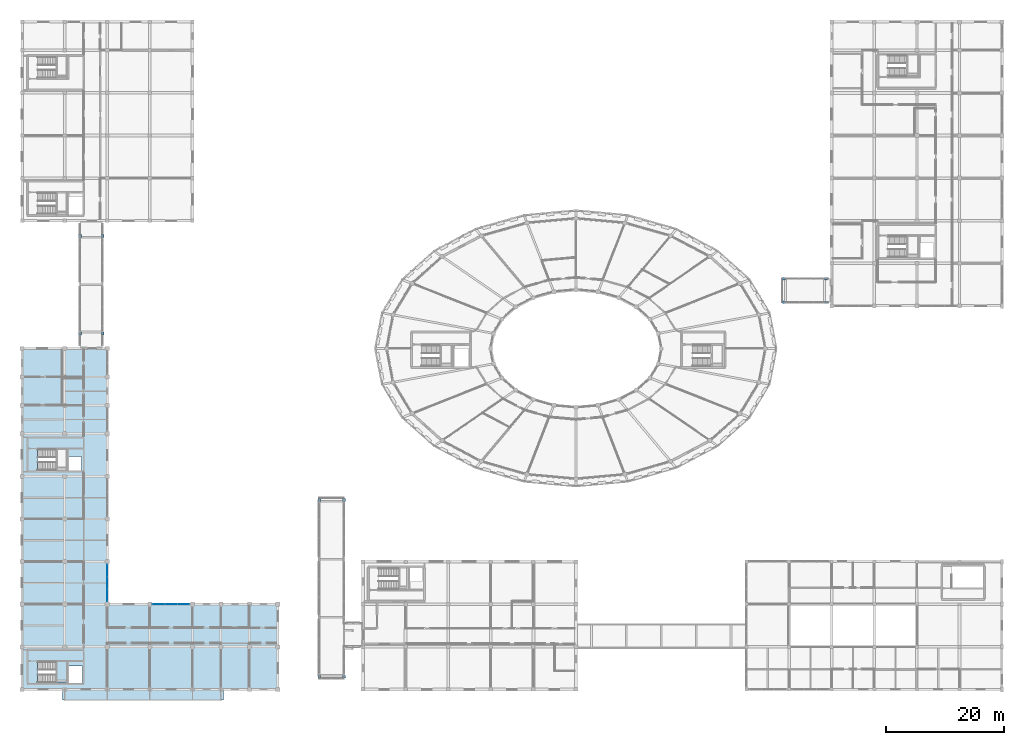
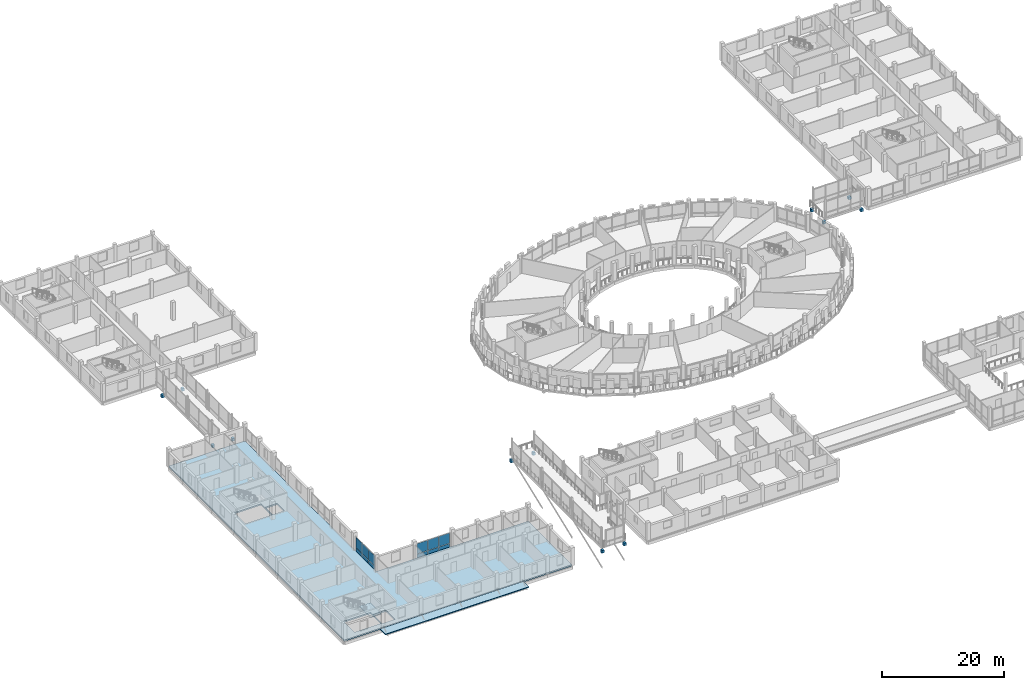
# One storey, part 96 of 128: 12 beams, 12 plates, 3 slabs, 3 elements without a shape of their own.
"""IFC4 building model written with IfcOpenShell, lengths in metres."""

from ifc_helpers import new_model, si_unit, direction, frame, origin, origin_2d, place, context, subcontext, project, spatial, polyline, rectangle, outline, extrude, material, layer, layer_set, material_profile, profile_set, type_object, element, aggregate, save


model = new_model("IFC4")

# Units and contexts
model_context = context("Model", 3, precision=1e-05, world=origin(), true_north=direction((0.0, 1.0)))
body_context = subcontext(model_context, "Body", "Model", "MODEL_VIEW")
ifc_project = project(units=[si_unit("LENGTHUNIT", "METRE"), si_unit("AREAUNIT", "SQUARE_METRE"), si_unit("VOLUMEUNIT", "CUBIC_METRE"), si_unit("PLANEANGLEUNIT", "RADIAN"), si_unit("MASSUNIT", "GRAM", prefix="KILO")], contexts=[model_context])

# Site, building, storey
site_placement = place(None, origin())
site = spatial("IfcSite", under=ifc_project, at=site_placement, CompositionType="ELEMENT")
building_placement = place(site_placement, origin())
building = spatial("IfcBuilding", under=site, at=building_placement, Name="Zornivar Specialist Clinic", CompositionType="ELEMENT")
storey_placement = place(building_placement, frame((0.0, 0.0, 4.5)))
storey = spatial("IfcBuildingStorey", under=building, at=storey_placement, Name="L01", CompositionType="ELEMENT", Elevation=4.5)

# Beams
ifc_material_1 = material(Name="Concrete C35/45", Category="concrete")
ifc_material_profile = material_profile(ifc_material_1, rectangle(XDim=0.449951171875, YDim=0.550048828125, at=origin_2d()), Name="RC 450x550")
ifc_profile_set = profile_set([ifc_material_profile], Name="Concrete C35/45")
beam_type = type_object("IfcBeamType", Name="BM-RC-CORBEL-450x550", PredefinedType="BEAM", material=ifc_profile_set)
for number, where, z_axis, x_axis, name in (
    (1, (50.199951171875, 2.39990234375, -1.0048828125), (0.0, -1.0, 0.0), (1.0, 0.0, 0.0), "bm:corbel:BR1:S:502"),
    (2, (50.199951171875, 31.800048828125, -1.0048828125), (0.0, 1.0, 0.0), (-1.0, 0.0, 0.0), "bm:corbel:BR1:N:502"),
    (3, (54.39990234375, 2.39990234375, -1.0048828125), (0.0, -1.0, 0.0), (1.0, 0.0, 0.0), "bm:corbel:BR1:S:544"),
    (4, (54.39990234375, 31.800048828125, -1.0048828125), (0.0, 1.0, 0.0), (-1.0, 0.0, 0.0), "bm:corbel:BR1:N:544"),
    (5, (9.800048828125, 60.39990234375, -0.905029296875), (0.0, -1.0, 0.0), (1.0, 0.0, 0.0), "bm:corbel:BR2:S:98"),
    (6, (9.800048828125, 76.39990234375, -0.905029296875), (0.0, 1.0, 0.0), (-1.0, 0.0, 0.0), "bm:corbel:BR2:N:98"),
    (7, (13.60009765625, 60.39990234375, -0.905029296875), (0.0, -1.0, 0.0), (1.0, 0.0, 0.0), "bm:corbel:BR2:S:136"),
    (8, (13.60009765625, 76.39990234375, -0.905029296875), (0.0, 1.0, 0.0), (-1.0, 0.0, 0.0), "bm:corbel:BR2:N:136"),
    (9, (129.0, 65.39990234375, -0.905029296875), (-1.0, 0.0, 0.0), (0.0, -1.0, 0.0), "bm:corbel:BR3:W:654"),
    (10, (135.60009765625, 65.39990234375, -0.905029296875), (1.0, 0.0, 0.0), (0.0, 1.0, 0.0), "bm:corbel:BR3:E:654"),
    (11, (129.0, 69.39990234375, -0.905029296875), (-1.0, 0.0, 0.0), (0.0, -1.0, 0.0), "bm:corbel:BR3:W:694"),
    (12, (135.60009765625, 69.39990234375, -0.905029296875), (1.0, 0.0, 0.0), (0.0, 1.0, 0.0), "bm:corbel:BR3:E:694"),
):
    element("IfcBeam", number, at=place(storey_placement, frame(where, z_axis=z_axis, x_axis=x_axis)), inside=storey, type_object=beam_type, Name=name, PredefinedType="BEAM", context=body_context, shape_type="SweptSolid", body=[
        extrude(rectangle(XDim=0.449951171875, YDim=0.550048828125, at=origin_2d()), origin(), (0.0, 0.0, 1.0), 0.5),
    ])

# Curtain wall, plates
ifc_material_2 = material(Name="Aluminium and Low-E Glass Curtain Wall", Category="aluminium")
curtain_wall_type = type_object("IfcCurtainWallType", Name="CW-REVAK-COURT", PredefinedType="NOTDEFINED", material=ifc_material_2)
curtain_wall_1_placement = place(storey_placement, origin())
curtain_wall_1 = element("IfcCurtainWall", 13, at=curtain_wall_1_placement, inside=storey, type_object=curtain_wall_type, Name="cw:V2:L01:12", PredefinedType="NOTDEFINED")
ifc_material_3 = material(Name="Insulated Limestone-Faced Spandrel Panel", Category="masonry")
ifc_layer_1 = layer(ifc_material_3, 0.05810546875)
ifc_layer_set_1 = layer_set([ifc_layer_1], Name="Insulated Limestone-Faced Spandrel Panel")
plate_type_1 = type_object("IfcPlateType", Name="CWP-SPN-D", PredefinedType="CURTAIN_PANEL", material=ifc_layer_set_1)
plate_1_placement = place(storey_placement, frame((27.280029296875, 14.39990234375, 0.030029296875), z_axis=(0.0, 0.0, 1.0), x_axis=(-1.0, 0.0, 0.0)))
plate_1 = element("IfcPlate", 14, at=plate_1_placement, type_object=plate_type_1, Name="cw:V2:L01:12:spn:0", PredefinedType="CURTAIN_PANEL", context=body_context, shape_type="SweptSolid", body=[
    extrude(rectangle(XDim=2.010009765625, YDim=0.05810546875, at=origin_2d()), origin(), (0.0, 0.0, 1.0), 0.7099609375),
])
plate_2_placement = place(storey_placement, frame((25.199951171875, 14.39990234375, 0.030029296875), z_axis=(0.0, 0.0, 1.0), x_axis=(-1.0, 0.0, 0.0)))
plate_2 = element("IfcPlate", 15, at=plate_2_placement, type_object=plate_type_1, Name="cw:V2:L01:12:spn:1", PredefinedType="CURTAIN_PANEL", context=body_context, shape_type="SweptSolid", body=[
    extrude(rectangle(XDim=2.010009765625, YDim=0.05810546875, at=origin_2d()), origin(), (0.0, 0.0, 1.0), 0.7099609375),
])
plate_3_placement = place(storey_placement, frame((23.1201171875, 14.39990234375, 0.030029296875), z_axis=(0.0, 0.0, 1.0), x_axis=(-1.0, 0.0, 0.0)))
plate_3 = element("IfcPlate", 16, at=plate_3_placement, type_object=plate_type_1, Name="cw:V2:L01:12:spn:2", PredefinedType="CURTAIN_PANEL", context=body_context, shape_type="SweptSolid", body=[
    extrude(rectangle(XDim=2.010009765625, YDim=0.05810546875, at=origin_2d()), origin(), (0.0, 0.0, 1.0), 0.7099609375),
])

curtain_wall_2_placement = place(storey_placement, origin())
curtain_wall_2 = element("IfcCurtainWall", 17, at=curtain_wall_2_placement, inside=storey, type_object=curtain_wall_type, Name="cw:V2:L01:14", PredefinedType="NOTDEFINED")
plate_4_placement = place(storey_placement, frame((14.39990234375, 15.919921875, 0.030029296875), z_axis=(0.0, 0.0, 1.0), x_axis=(0.0, 1.0, 0.0)))
plate_4 = element("IfcPlate", 18, at=plate_4_placement, type_object=plate_type_1, Name="cw:V2:L01:14:spn:0", PredefinedType="CURTAIN_PANEL", context=body_context, shape_type="SweptSolid", body=[
    extrude(rectangle(XDim=2.010009765625, YDim=0.05810546875, at=origin_2d()), origin(), (0.0, 0.0, 1.0), 0.7099609375),
])
plate_5_placement = place(storey_placement, frame((14.39990234375, 18.0, 0.030029296875), z_axis=(0.0, 0.0, 1.0), x_axis=(0.0, 1.0, 0.0)))
plate_5 = element("IfcPlate", 19, at=plate_5_placement, type_object=plate_type_1, Name="cw:V2:L01:14:spn:1", PredefinedType="CURTAIN_PANEL", context=body_context, shape_type="SweptSolid", body=[
    extrude(rectangle(XDim=2.010009765625, YDim=0.05810546875, at=origin_2d()), origin(), (0.0, 0.0, 1.0), 0.7099609375),
])
plate_6_placement = place(storey_placement, frame((14.39990234375, 20.080078125, 0.030029296875), z_axis=(0.0, 0.0, 1.0), x_axis=(0.0, 1.0, 0.0)))
plate_6 = element("IfcPlate", 20, at=plate_6_placement, type_object=plate_type_1, Name="cw:V2:L01:14:spn:2", PredefinedType="CURTAIN_PANEL", context=body_context, shape_type="SweptSolid", body=[
    extrude(rectangle(XDim=2.010009765625, YDim=0.05810546875, at=origin_2d()), origin(), (0.0, 0.0, 1.0), 0.7099609375),
])
ifc_material_4 = material(Name="Triple Low-E Vision Glass", Category="glass")
ifc_layer_2 = layer(ifc_material_4, 0.035888671875)
ifc_layer_set_2 = layer_set([ifc_layer_2], Name="Triple Low-E Vision Glass")
plate_type_2 = type_object("IfcPlateType", Name="CWP-VIS-F", PredefinedType="CURTAIN_PANEL", material=ifc_layer_set_2)
plate_7_placement = place(storey_placement, frame((14.39990234375, 15.919921875, 0.8046875), z_axis=(0.0, 0.0, 1.0), x_axis=(0.0, 1.0, 0.0)))
plate_7 = element("IfcPlate", 21, at=plate_7_placement, type_object=plate_type_2, Name="cw:V2:L01:14:vis:0", PredefinedType="CURTAIN_PANEL", context=body_context, shape_type="SweptSolid", body=[
    extrude(rectangle(XDim=2.010009765625, YDim=0.035888671875, at=origin_2d()), origin(), (0.0, 0.0, 1.0), 2.054931640625),
])
plate_8_placement = place(storey_placement, frame((14.39990234375, 18.0, 0.8046875), z_axis=(0.0, 0.0, 1.0), x_axis=(0.0, 1.0, 0.0)))
plate_8 = element("IfcPlate", 22, at=plate_8_placement, type_object=plate_type_2, Name="cw:V2:L01:14:vis:1", PredefinedType="CURTAIN_PANEL", context=body_context, shape_type="SweptSolid", body=[
    extrude(rectangle(XDim=2.010009765625, YDim=0.035888671875, at=origin_2d()), origin(), (0.0, 0.0, 1.0), 2.054931640625),
])
plate_9_placement = place(storey_placement, frame((14.39990234375, 20.080078125, 0.8046875), z_axis=(0.0, 0.0, 1.0), x_axis=(0.0, 1.0, 0.0)))
plate_9 = element("IfcPlate", 23, at=plate_9_placement, type_object=plate_type_2, Name="cw:V2:L01:14:vis:2", PredefinedType="CURTAIN_PANEL", context=body_context, shape_type="SweptSolid", body=[
    extrude(rectangle(XDim=2.010009765625, YDim=0.035888671875, at=origin_2d()), origin(), (0.0, 0.0, 1.0), 2.054931640625),
])
aggregate(curtain_wall_2, [plate_4, plate_7, plate_5, plate_8, plate_6, plate_9])

# Plate
ifc_material_5 = material(Name="Triple Low-E Vision Glass", Category="glass")
ifc_layer_3 = layer(ifc_material_5, 0.035888671875)
ifc_layer_set_3 = layer_set([ifc_layer_3], Name="Triple Low-E Vision Glass")
plate_type_3 = type_object("IfcPlateType", Name="CWP-VIS-G", PredefinedType="CURTAIN_PANEL", material=ifc_layer_set_3)
plate_10_placement = place(storey_placement, frame((27.280029296875, 14.39990234375, 0.8046875), z_axis=(0.0, 0.0, 1.0), x_axis=(-1.0, 0.0, 0.0)))
plate_10 = element("IfcPlate", 24, at=plate_10_placement, type_object=plate_type_3, Name="cw:V2:L01:12:vis:0", PredefinedType="CURTAIN_PANEL", context=body_context, shape_type="SweptSolid", body=[
    extrude(rectangle(XDim=2.010009765625, YDim=0.035888671875, at=origin_2d()), origin(), (0.0, 0.0, 1.0), 2.054931640625),
])

plate_11_placement = place(storey_placement, frame((25.199951171875, 14.39990234375, 0.8046875), z_axis=(0.0, 0.0, 1.0), x_axis=(-1.0, 0.0, 0.0)))
plate_11 = element("IfcPlate", 25, at=plate_11_placement, type_object=plate_type_3, Name="cw:V2:L01:12:vis:1", PredefinedType="CURTAIN_PANEL", context=body_context, shape_type="SweptSolid", body=[
    extrude(rectangle(XDim=2.010009765625, YDim=0.035888671875, at=origin_2d()), origin(), (0.0, 0.0, 1.0), 2.054931640625),
])

plate_12_placement = place(storey_placement, frame((23.1201171875, 14.39990234375, 0.8046875), z_axis=(0.0, 0.0, 1.0), x_axis=(-1.0, 0.0, 0.0)))
plate_12 = element("IfcPlate", 26, at=plate_12_placement, type_object=plate_type_3, Name="cw:V2:L01:12:vis:2", PredefinedType="CURTAIN_PANEL", context=body_context, shape_type="SweptSolid", body=[
    extrude(rectangle(XDim=2.010009765625, YDim=0.035888671875, at=origin_2d()), origin(), (0.0, 0.0, 1.0), 2.054931640625),
])

aggregate(curtain_wall_1, [plate_1, plate_10, plate_2, plate_11, plate_3, plate_12])

# Slabs
ifc_material_6 = material(Name="Concrete C30/37", Category="concrete")
ifc_layer_4 = layer(ifc_material_6, 0.159912109375)
ifc_layer_set_4 = layer_set([ifc_layer_4], Name="Concrete C30/37")
slab_type_1 = type_object("IfcSlabType", Name="SLB-CANOPY-160", PredefinedType="ROOF", material=ifc_layer_set_4)
slab_1_placement = place(storey_placement, frame((0.0, 0.0, -0.280029296875)))
element("IfcSlab", 27, at=slab_1_placement, inside=storey, type_object=slab_type_1, Name="slab:CAN:L01:roof", PredefinedType="ROOF", context=body_context, shape_type="SweptSolid", body=[
    extrude(outline(polyline([(6.800048828125, -1.800048828125), (34.0, -1.800048828125), (34.0, 0.0), (6.800048828125, 0.0), (6.800048828125, -1.800048828125)])), origin(), (0.0, 0.0, 1.0), 0.159912109375),
])
ifc_material_7 = material(Name="Concrete C30/37", Category="concrete")
ifc_layer_5 = layer(ifc_material_7, 0.280029296875)
ifc_layer_set_5 = layer_set([ifc_layer_5], Name="Concrete C30/37")
slab_type_2 = type_object("IfcSlabType", Name="SLB-FLR-280", PredefinedType="FLOOR", material=ifc_layer_set_5)
slab_2_placement = place(storey_placement, frame((0.0, 0.0, -0.280029296875)))
element("IfcSlab", 28, at=slab_2_placement, inside=storey, type_object=slab_type_2, Name="slab:V2:L01:main", PredefinedType="FLOOR", context=body_context, shape_type="SweptSolid", body=[
    extrude(outline(polyline([(0.0, 0.0), (43.199951171875, 0.0), (43.199951171875, 14.39990234375), (14.39990234375, 14.39990234375), (14.39990234375, 57.60009765625), (0.0, 57.60009765625), (0.0, 0.0)]), holes=[polyline([(2.6201171875, 1.10009765625), (7.699951171875, 1.10009765625), (7.699951171875, 4.699951171875), (2.6201171875, 4.699951171875), (2.6201171875, 1.10009765625)]), polyline([(7.800048828125, 1.0), (10.199951171875, 1.0), (10.199951171875, 4.0), (7.800048828125, 4.0), (7.800048828125, 1.0)]), polyline([(2.6201171875, 37.0), (7.699951171875, 37.0), (7.699951171875, 40.60009765625), (2.6201171875, 40.60009765625), (2.6201171875, 37.0)]), polyline([(7.800048828125, 37.0), (10.0, 37.0), (10.0, 39.39990234375), (7.800048828125, 39.39990234375), (7.800048828125, 37.0)])]), origin(), (0.0, 0.0, 1.0), 0.280029296875),
])

# Stair, slab
ifc_material_8 = material(Name="Concrete C30/37", Category="concrete")
stair_type = type_object("IfcStairType", Name="STR-CORE-TYP-3900", PredefinedType="HALF_TURN_STAIR", material=ifc_material_8)
stair_placement = place(storey_placement, origin())
stair = element("IfcStair", 29, at=stair_placement, inside=storey, type_object=stair_type, Name="stair:C1:L01", PredefinedType="HALF_TURN_STAIR")
ifc_material_9 = material(Name="Concrete C30/37", Category="concrete")
ifc_layer_6 = layer(ifc_material_9, 0.179931640625)
ifc_layer_set_6 = layer_set([ifc_layer_6], Name="Concrete C30/37")
slab_type_3 = type_object("IfcSlabType", Name="SLB-LANDING-180", PredefinedType="LANDING", material=ifc_layer_set_6)
slab_3_placement = place(storey_placement, frame((0.0, 0.0, 1.77001953125)))
slab_3 = element("IfcSlab", 30, at=slab_3_placement, type_object=slab_type_3, Name="stair:C1:L01:land", PredefinedType="LANDING", context=body_context, shape_type="SweptSolid", body=[
    extrude(outline(polyline([(5.659912109375, 1.080078125), (7.719970703125, 1.080078125), (7.719970703125, 4.719970703125), (5.659912109375, 4.719970703125), (5.659912109375, 1.080078125)])), origin(), (0.0, 0.0, 1.0), 0.179931640625),
])
aggregate(stair, [slab_3])

save(model, "model.ifc")
